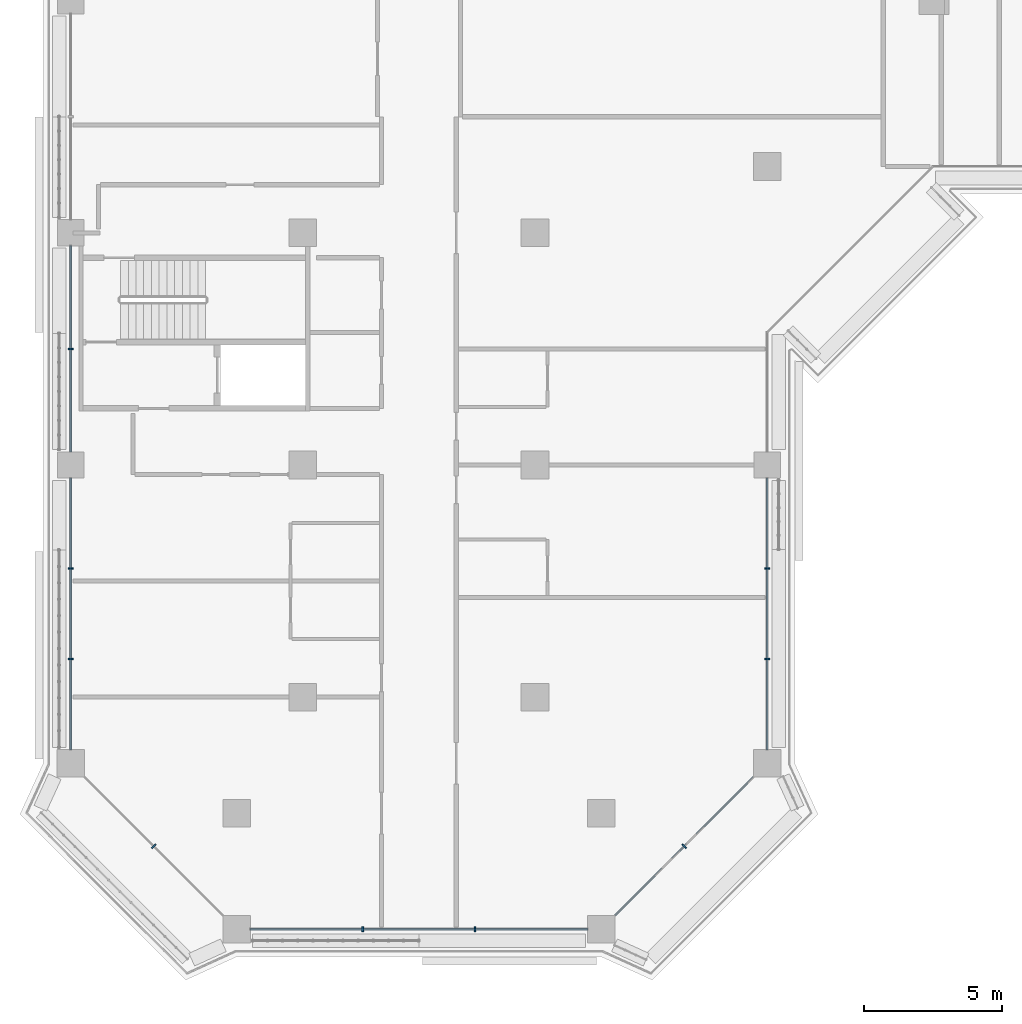
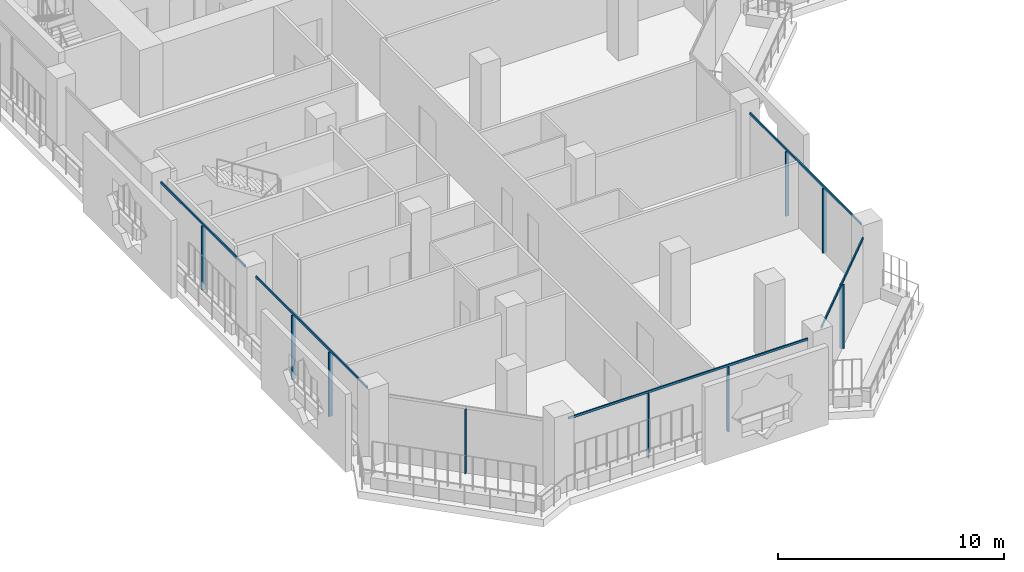
# One storey, part 2 of 24: 14 members, 5 elements without a shape of their own.
"""IFC4 building model written with IfcOpenShell, lengths in metres."""

import ifcopenshell
import ifcopenshell.guid

model = None  # the IFC model being written
_history = None  # IfcOwnerHistory: only IFC2X3 demands one
_inside = {}  # id of a spatial element -> (the spatial element, [elements in it])
_under = {}  # id of a project, library or spatial element -> (it, [spatial elements below it])
_declared = {}  # id of a project -> (the project, [libraries it declares])
_typed = {}  # id of a type object -> (the type object, [elements of that type])
_made_of = {}  # id of a material, layer set ... -> (it, [elements and type objects made of it])


def new_model(schema):
    """Start an empty IFC model of exactly this schema.

    Asked for "IFC4X3", IfcOpenShell would pick the latest addendum, in which some entities
    have other attributes; the version numbers below select the first issue.
    IFC2X3 requires an IfcOwnerHistory on every rooted entity: one is made here for all.
    """
    global model, _history
    if schema == "IFC4X3":
        model = ifcopenshell.file(schema_version=(4, 3, 0, 0))
    else:
        model = ifcopenshell.file(schema=schema)
    _inside.clear()
    _under.clear()
    _declared.clear()
    _typed.clear()
    _made_of.clear()
    _history = None
    if model.schema == "IFC2X3":
        org = make("IfcOrganization", Name="unknown")
        user = make(
            "IfcPersonAndOrganization",
            ThePerson=make("IfcPerson", FamilyName="unknown"),
            TheOrganization=org,
        )
        app = make(
            "IfcApplication",
            ApplicationDeveloper=org,
            Version="unknown",
            ApplicationFullName="unknown",
            ApplicationIdentifier="unknown",
        )
        _history = make(
            "IfcOwnerHistory",
            OwningUser=user,
            OwningApplication=app,
            ChangeAction="ADDED",
            CreationDate=0,
        )
    return model


def make(cls, **values):
    """One entity of the class cls with the attributes given. An attribute that is None is left unset."""
    return model.create_entity(
        cls, **{name: value for name, value in values.items() if value is not None}
    )


def rooted(cls, **values):
    """An entity with a GlobalId (a new one), such as an element, a storey or a relation."""
    return make(cls, GlobalId=ifcopenshell.guid.new(), OwnerHistory=_history, **values)


def si_unit(unit_type, name, prefix=None):
    """IfcSIUnit, for example si_unit("LENGTHUNIT", "METRE", prefix="MILLI")."""
    return make("IfcSIUnit", UnitType=unit_type, Prefix=prefix, Name=name)


def assignment(units):
    """IfcUnitAssignment: the units of a project."""
    return None if units is None else make("IfcUnitAssignment", Units=units)


def point(xyz):
    """IfcCartesianPoint."""
    return None if xyz is None else make("IfcCartesianPoint", Coordinates=xyz)


def direction(xyz):
    """IfcDirection."""
    return None if xyz is None else make("IfcDirection", DirectionRatios=xyz)


def frame(location, z_axis=None, x_axis=None):
    """IfcAxis2Placement3D, a coordinate frame: its origin and axes. An axis left out is left unset."""
    return make(
        "IfcAxis2Placement3D",
        Location=point(location),
        Axis=direction(z_axis),
        RefDirection=direction(x_axis),
    )


def frame_2d(location, x_axis=None):
    """IfcAxis2Placement2D, a coordinate frame in the plane: its origin and x axis."""
    return make(
        "IfcAxis2Placement2D", Location=point(location), RefDirection=direction(x_axis)
    )


def origin():
    """The frame at (0, 0, 0) with its axes left unset."""
    return frame((0.0, 0.0, 0.0))


def origin_2d():
    """The frame at (0, 0) in the plane with its x axis left unset."""
    return frame_2d((0.0, 0.0))


def place(relative_to, where):
    """IfcLocalPlacement: puts the frame where relative to a parent placement (None: the world)."""
    return make(
        "IfcLocalPlacement", PlacementRelTo=relative_to, RelativePlacement=where
    )


def context(
    kind, dimensions, precision=None, world=None, true_north=None, identifier=None
):
    """IfcGeometricRepresentationContext, for example the 3D "Model" context."""
    return make(
        "IfcGeometricRepresentationContext",
        ContextIdentifier=identifier,
        ContextType=kind,
        CoordinateSpaceDimension=dimensions,
        Precision=precision,
        WorldCoordinateSystem=world,
        TrueNorth=true_north,
    )


def subcontext(parent, identifier, kind, view, scale=None):
    """IfcGeometricRepresentationSubContext, for example "Body" below "Model"."""
    return make(
        "IfcGeometricRepresentationSubContext",
        ContextIdentifier=identifier,
        ContextType=kind,
        ParentContext=parent,
        TargetScale=scale,
        TargetView=view,
    )


def project(units=None, contexts=None):
    """IfcProject with its units and contexts."""
    return rooted(
        "IfcProject",
        Name="project",
        RepresentationContexts=contexts,
        UnitsInContext=assignment(units),
    )


def spatial(cls, under=None, at=None, **own):
    """A site, building, storey or space (cls), placed at a placement, below another one or the project."""
    s = rooted(cls, ObjectPlacement=at, **own)
    if under is not None:
        _under.setdefault(under.id(), (under, []))[1].append(s)
    return s


def profile(cls, at=None, kind="AREA", **sizes):
    """A parametric profile (cls). Its sizes go by their IFC names, for example OverallWidth=200.0."""
    return make(cls, ProfileType=kind, Position=at, **sizes)


def rectangle(**sizes):
    """IfcRectangleProfileDef."""
    return profile("IfcRectangleProfileDef", **sizes)


def extrude(swept, where, along, depth):
    """IfcExtrudedAreaSolid: the profile swept, set in the frame where, extruded along a direction by depth."""
    return make(
        "IfcExtrudedAreaSolid",
        SweptArea=swept,
        Position=where,
        ExtrudedDirection=direction(along),
        Depth=depth,
    )


def shape(context_of_items, identifier, shape_type, items):
    """IfcShapeRepresentation: the items that make up one representation, for example the "Body"."""
    return make(
        "IfcShapeRepresentation",
        ContextOfItems=context_of_items,
        RepresentationIdentifier=identifier,
        RepresentationType=shape_type,
        Items=items,
    )


def material(Name=None, Category=None):
    """IfcMaterial."""
    return make("IfcMaterial", Name=Name, Category=Category)


def layer(
    of_material, thickness, ventilated=None, Name=None, Category=None, Priority=None
):
    """IfcMaterialLayer: one layer of a wall or slab, of a material (None: an air gap)."""
    return make(
        "IfcMaterialLayer",
        Material=of_material,
        LayerThickness=thickness,
        IsVentilated=ventilated,
        Name=Name,
        Category=Category,
        Priority=Priority,
    )


def layer_set(layers, Name=None):
    """IfcMaterialLayerSet."""
    return make("IfcMaterialLayerSet", MaterialLayers=layers, LayerSetName=Name)


def material_profile(
    of_material, cross_section, Name=None, Category=None, Priority=None
):
    """IfcMaterialProfile: a cross section and its material."""
    return make(
        "IfcMaterialProfile",
        Name=Name,
        Material=of_material,
        Profile=cross_section,
        Priority=Priority,
        Category=Category,
    )


def profile_set(profiles, Name=None, composite=None):
    """IfcMaterialProfileSet."""
    return make(
        "IfcMaterialProfileSet",
        Name=Name,
        MaterialProfiles=profiles,
        CompositeProfile=composite,
    )


def made_of(thing, what):
    """Note that an element or type object is made of a material, layer set ...; save() writes the relation."""
    if what is not None:
        _made_of.setdefault(what.id(), (what, []))[1].append(thing)
    return thing


def type_object(cls, material=None, **own):
    """A type object (cls), such as IfcWallType, which elements share."""
    return made_of(rooted(cls, **own), material)


def element(
    cls,
    number,
    at=None,
    inside=None,
    cuts=None,
    type_object=None,
    material=None,
    context=None,
    identifier="Body",
    shape_type=None,
    held_by="IfcProductDefinitionShape",
    body=None,
    shapes=None,
    **own,
):
    """One element of the class cls, such as IfcWall. Its Tag is "e" and its number.

    at: its placement. inside: the storey or other place that contains it. cuts: it is an
    opening in that element (IfcRelVoidsElement). A single representation is given by context,
    identifier, shape_type and body (its items); several are given by shapes. held_by: the class
    of the entity that holds the representations. save() writes the other relations.
    """
    e = rooted(cls, Tag="e%d" % number, ObjectPlacement=at, **own)
    if body is not None:
        shapes = [shape(context, identifier, shape_type, body)]
    if shapes is not None:
        e.Representation = make(held_by, Representations=shapes)
    if inside is not None:
        _inside.setdefault(inside.id(), (inside, []))[1].append(e)
    if cuts is not None:
        rooted(
            "IfcRelVoidsElement", RelatingBuildingElement=cuts, RelatedOpeningElement=e
        )
    if type_object is not None:
        _typed.setdefault(type_object.id(), (type_object, []))[1].append(e)
    return made_of(e, material)


def aggregate(whole, parts):
    """IfcRelAggregates: a whole, such as a stair, and the parts it consists of."""
    return rooted("IfcRelAggregates", RelatingObject=whole, RelatedObjects=parts)


def save(model, path):
    """Write the relations noted so far, then the file.

    IfcRelAggregates (storeys below a building ...), IfcRelContainedInSpatialStructure (elements
    in a storey), IfcRelDefinesByType, IfcRelAssociatesMaterial and IfcRelDeclares: one each for
    every whole, place, type object, material and project.
    """
    for whole, parts in _under.values():
        aggregate(whole, parts)
    for where, things in _inside.values():
        rooted(
            "IfcRelContainedInSpatialStructure",
            RelatedElements=things,
            RelatingStructure=where,
        )
    for kind, things in _typed.values():
        rooted("IfcRelDefinesByType", RelatedObjects=things, RelatingType=kind)
    for what, things in _made_of.values():
        rooted("IfcRelAssociatesMaterial", RelatedObjects=things, RelatingMaterial=what)
    for by, libraries in _declared.values():
        rooted("IfcRelDeclares", RelatingContext=by, RelatedDefinitions=libraries)
    model.write(path)


model = new_model("IFC4")

# Units and contexts
model_context = context("Model", 3, precision=1e-05, world=origin(), true_north=direction((0.0, 1.0)))
body_context = subcontext(model_context, "Body", "Model", "MODEL_VIEW")
ifc_project = project(units=[si_unit("LENGTHUNIT", "METRE"), si_unit("AREAUNIT", "SQUARE_METRE"), si_unit("VOLUMEUNIT", "CUBIC_METRE"), si_unit("PLANEANGLEUNIT", "RADIAN"), si_unit("MASSUNIT", "GRAM", prefix="KILO")], contexts=[model_context])

# Site, building, storey
site_placement = place(None, origin())
site = spatial("IfcSite", under=ifc_project, at=site_placement, CompositionType="ELEMENT")
building_placement = place(site_placement, origin())
building = spatial("IfcBuilding", under=site, at=building_placement, Name="Kawkab Arch Medical Tower", CompositionType="ELEMENT")
storey_placement = place(building_placement, frame((0.0, 0.0, 162.60009765625)))
storey = spatial("IfcBuildingStorey", under=building, at=storey_placement, Name="L37", CompositionType="ELEMENT", Elevation=162.60009765625)

# Curtain wall, members
ifc_material_1 = material(Name="Bronze anodised aluminium curtain wall frame", Category="aluminium")
ifc_layer_1 = layer(ifc_material_1, 0.159912109375)
ifc_layer_set_1 = layer_set([ifc_layer_1], Name="Bronze anodised aluminium curtain wall frame")
curtain_wall_type_1 = type_object("IfcCurtainWallType", Name="CW1 ward curtain wall", PredefinedType="NOTDEFINED", material=ifc_layer_set_1)
placement = place(storey_placement, origin())
curtain_wall_1 = element("IfcCurtainWall", 1, at=placement, inside=storey, type_object=curtain_wall_type_1, Name="CW1 Ward curtain wall R11", PredefinedType="NOTDEFINED")
ifc_material_2 = material(Name="Bronze anodised aluminium curtain wall frame", Category="aluminium")
ifc_material_profile_1 = material_profile(ifc_material_2, rectangle(XDim=0.179931640625, YDim=0.06005859375, at=origin_2d()), Name="AL 60x180")
ifc_profile_set_1 = profile_set([ifc_material_profile_1], Name="Bronze anodised aluminium curtain wall frame")
member_type_1 = type_object("IfcMemberType", Name="CW1 mullion 60 x 180", PredefinedType="MULLION", material=ifc_profile_set_1)
member_1_placement = place(storey_placement, frame((0.0, -37.800048828125, 0.0), z_axis=(0.0, 0.0, 1.0), x_axis=(1.0, 0.0, 0.0)))
member_1 = element("IfcMember", 2, at=member_1_placement, type_object=member_type_1, Name="CW1 mullion 4.1", PredefinedType="MULLION", context=body_context, shape_type="SweptSolid", body=[
    extrude(rectangle(XDim=0.179931640625, YDim=0.06005859375, at=origin_2d()), origin(), (0.0, 0.0, 1.0), 3.47998046875),
])
member_2_placement = place(storey_placement, frame((0.0, -45.75, 0.0), z_axis=(0.0, 0.0, 1.0), x_axis=(1.0, 0.0, 0.0)))
member_2 = element("IfcMember", 3, at=member_2_placement, type_object=member_type_1, Name="CW1 mullion 5.1", PredefinedType="MULLION", context=body_context, shape_type="SweptSolid", body=[
    extrude(rectangle(XDim=0.179931640625, YDim=0.06005859375, at=origin_2d()), origin(), (0.0, 0.0, 1.0), 3.47998046875),
])
member_3_placement = place(storey_placement, frame((0.0, -49.02490234375, 0.0), z_axis=(0.0, 0.0, 1.0), x_axis=(1.0, 0.0, 0.0)))
member_3 = element("IfcMember", 4, at=member_3_placement, type_object=member_type_1, Name="CW1 mullion 5.2", PredefinedType="MULLION", context=body_context, shape_type="SweptSolid", body=[
    extrude(rectangle(XDim=0.179931640625, YDim=0.06005859375, at=origin_2d()), origin(), (0.0, 0.0, 1.0), 3.47998046875),
])

curtain_wall_2 = element("IfcCurtainWall", 5, at=placement, inside=storey, type_object=curtain_wall_type_1, Name="CW1 Ward curtain wall R13", PredefinedType="NOTDEFINED")
member_4_placement = place(storey_placement, frame((10.566650390625, -58.800048828125, 0.0), z_axis=(0.0, 0.0, 1.0), x_axis=(0.0, 1.0, 0.0)))
member_4 = element("IfcMember", 6, at=member_4_placement, type_object=member_type_1, Name="CW1 mullion 1.1", PredefinedType="MULLION", context=body_context, shape_type="SweptSolid", body=[
    extrude(rectangle(XDim=0.179931640625, YDim=0.06005859375, at=origin_2d()), origin(), (0.0, 0.0, 1.0), 3.47998046875),
])
member_5_placement = place(storey_placement, frame((14.63330078125, -58.800048828125, 0.0), z_axis=(0.0, 0.0, 1.0), x_axis=(0.0, 1.0, 0.0)))
member_5 = element("IfcMember", 7, at=member_5_placement, type_object=member_type_1, Name="CW1 mullion 1.2", PredefinedType="MULLION", context=body_context, shape_type="SweptSolid", body=[
    extrude(rectangle(XDim=0.179931640625, YDim=0.06005859375, at=origin_2d()), origin(), (0.0, 0.0, 1.0), 3.47998046875),
])

curtain_wall_3 = element("IfcCurtainWall", 8, at=placement, inside=storey, type_object=curtain_wall_type_1, Name="CW1 Ward curtain wall R15", PredefinedType="NOTDEFINED")
member_6_placement = place(storey_placement, frame((25.199951171875, -49.02490234375, 0.0), z_axis=(0.0, 0.0, 1.0), x_axis=(-1.0, 0.0, 0.0)))
member_6 = element("IfcMember", 9, at=member_6_placement, type_object=member_type_1, Name="CW1 mullion 1.1", PredefinedType="MULLION", context=body_context, shape_type="SweptSolid", body=[
    extrude(rectangle(XDim=0.179931640625, YDim=0.06005859375, at=origin_2d()), origin(), (0.0, 0.0, 1.0), 3.47998046875),
])
member_7_placement = place(storey_placement, frame((25.199951171875, -45.75, 0.0), z_axis=(0.0, 0.0, 1.0), x_axis=(-1.0, 0.0, 0.0)))
member_7 = element("IfcMember", 10, at=member_7_placement, type_object=member_type_1, Name="CW1 mullion 1.2", PredefinedType="MULLION", context=body_context, shape_type="SweptSolid", body=[
    extrude(rectangle(XDim=0.179931640625, YDim=0.06005859375, at=origin_2d()), origin(), (0.0, 0.0, 1.0), 3.47998046875),
])

# Member
ifc_material_3 = material(Name="Bronze anodised aluminium curtain wall frame", Category="aluminium")
ifc_material_profile_2 = material_profile(ifc_material_3, rectangle(XDim=0.06005859375, YDim=0.1201171875, at=origin_2d()), Name="AL 60x120")
ifc_profile_set_2 = profile_set([ifc_material_profile_2], Name="Bronze anodised aluminium curtain wall frame")
member_type_2 = type_object("IfcMemberType", Name="CW1 transom 120 x 60", PredefinedType="USERDEFINED", material=ifc_profile_set_2)
member_8_placement = place(storey_placement, frame((0.0, -34.074951171875, 3.539794921875), z_axis=(0.0, -1.0, 0.0), x_axis=(1.0, 0.0, 0.0)))
member_8 = element("IfcMember", 11, at=member_8_placement, type_object=member_type_2, Name="CW1 transom 4", ObjectType="TRANSOM", PredefinedType="USERDEFINED", context=body_context, shape_type="SweptSolid", body=[
    extrude(rectangle(XDim=0.06005859375, YDim=0.1201171875, at=origin_2d()), origin(), (0.0, 0.0, 1.0), 7.449951171875),
])

member_9_placement = place(storey_placement, frame((0.0, -42.47509765625, 3.539794921875), z_axis=(0.0, -1.0, 0.0), x_axis=(1.0, 0.0, 0.0)))
member_9 = element("IfcMember", 12, at=member_9_placement, type_object=member_type_2, Name="CW1 transom 5", ObjectType="TRANSOM", PredefinedType="USERDEFINED", context=body_context, shape_type="SweptSolid", body=[
    extrude(rectangle(XDim=0.06005859375, YDim=0.1201171875, at=origin_2d()), origin(), (0.0, 0.0, 1.0), 9.824951171875),
])

aggregate(curtain_wall_1, [member_8, member_1, member_9, member_2, member_3])

member_10_placement = place(storey_placement, frame((6.5, -58.800048828125, 3.539794921875), z_axis=(1.0, 0.0, 0.0), x_axis=(0.0, 1.0, 0.0)))
member_10 = element("IfcMember", 13, at=member_10_placement, type_object=member_type_2, Name="CW1 transom 1", ObjectType="TRANSOM", PredefinedType="USERDEFINED", context=body_context, shape_type="SweptSolid", body=[
    extrude(rectangle(XDim=0.06005859375, YDim=0.1201171875, at=origin_2d()), origin(), (0.0, 0.0, 1.0), 12.199951171875),
])

aggregate(curtain_wall_2, [member_10, member_4, member_5])

member_11_placement = place(storey_placement, frame((25.199951171875, -52.300048828125, 3.539794921875), z_axis=(0.0, 1.0, 0.0), x_axis=(-1.0, 0.0, 0.0)))
member_11 = element("IfcMember", 14, at=member_11_placement, type_object=member_type_2, Name="CW1 transom 1", ObjectType="TRANSOM", PredefinedType="USERDEFINED", context=body_context, shape_type="SweptSolid", body=[
    extrude(rectangle(XDim=0.06005859375, YDim=0.1201171875, at=origin_2d()), origin(), (0.0, 0.0, 1.0), 9.824951171875),
])

aggregate(curtain_wall_3, [member_11, member_6, member_7])

# Curtain wall, member
ifc_material_4 = material(Name="Bronze anodised aluminium curtain wall frame", Category="aluminium")
ifc_layer_2 = layer(ifc_material_4, 0.159912109375)
ifc_layer_set_2 = layer_set([ifc_layer_2], Name="Bronze anodised aluminium curtain wall frame")
curtain_wall_type_2 = type_object("IfcCurtainWallType", Name="CW2 chamfer curtain wall", PredefinedType="NOTDEFINED", material=ifc_layer_set_2)
curtain_wall_4 = element("IfcCurtainWall", 15, at=placement, inside=storey, type_object=curtain_wall_type_2, Name="CW2 Chamfer curtain wall R12", PredefinedType="NOTDEFINED")
ifc_material_5 = material(Name="Bronze anodised aluminium curtain wall frame", Category="aluminium")
ifc_material_profile_3 = material_profile(ifc_material_5, rectangle(XDim=0.199951171875, YDim=0.06005859375, at=origin_2d()), Name="AL 60x200")
ifc_profile_set_3 = profile_set([ifc_material_profile_3], Name="Bronze anodised aluminium curtain wall frame")
member_type_3 = type_object("IfcMemberType", Name="CW2 mullion 60 x 200", PredefinedType="MULLION", material=ifc_profile_set_3)
member_12_placement = place(storey_placement, frame((3.0, -55.800048828125, 0.0), z_axis=(0.0, 0.0, 1.0), x_axis=(0.707106781187, 0.707106781187, 0.0)))
member_12 = element("IfcMember", 16, at=member_12_placement, type_object=member_type_3, Name="CW2 mullion 1.1", PredefinedType="MULLION", context=body_context, shape_type="SweptSolid", body=[
    extrude(rectangle(XDim=0.199951171875, YDim=0.06005859375, at=origin_2d()), origin(), (0.0, 0.0, 1.0), 3.4599609375),
])
aggregate(curtain_wall_4, [member_12])

# Curtain wall, members
curtain_wall_5 = element("IfcCurtainWall", 17, at=placement, inside=storey, type_object=curtain_wall_type_2, Name="CW2 Chamfer curtain wall R14", PredefinedType="NOTDEFINED")
member_13_placement = place(storey_placement, frame((22.199951171875, -55.800048828125, 0.0), z_axis=(0.0, 0.0, 1.0), x_axis=(-0.707106781187, 0.707106781187, 0.0)))
member_13 = element("IfcMember", 18, at=member_13_placement, type_object=member_type_3, Name="CW2 mullion 1.1", PredefinedType="MULLION", context=body_context, shape_type="SweptSolid", body=[
    extrude(rectangle(XDim=0.199951171875, YDim=0.06005859375, at=origin_2d()), origin(), (0.0, 0.0, 1.0), 3.4599609375),
])
ifc_material_6 = material(Name="Bronze anodised aluminium curtain wall frame", Category="aluminium")
ifc_material_profile_4 = material_profile(ifc_material_6, rectangle(XDim=0.06005859375, YDim=0.139892578125, at=origin_2d()), Name="AL 60x140")
ifc_profile_set_4 = profile_set([ifc_material_profile_4], Name="Bronze anodised aluminium curtain wall frame")
member_type_4 = type_object("IfcMemberType", Name="CW2 transom 140 x 60", PredefinedType="USERDEFINED", material=ifc_profile_set_4)
member_14_placement = place(storey_placement, frame((19.699951171875, -58.300048828125, 3.52978515625), z_axis=(0.707106781187, 0.707106781187, 0.0), x_axis=(-0.707106781187, 0.707106781187, 0.0)))
member_14 = element("IfcMember", 19, at=member_14_placement, type_object=member_type_4, Name="CW2 transom 1", ObjectType="TRANSOM", PredefinedType="USERDEFINED", context=body_context, shape_type="SweptSolid", body=[
    extrude(rectangle(XDim=0.06005859375, YDim=0.139892578125, at=origin_2d()), origin(), (0.0, 0.0, 1.0), 7.071044921875),
])
aggregate(curtain_wall_5, [member_14, member_13])

save(model, "model.ifc")
